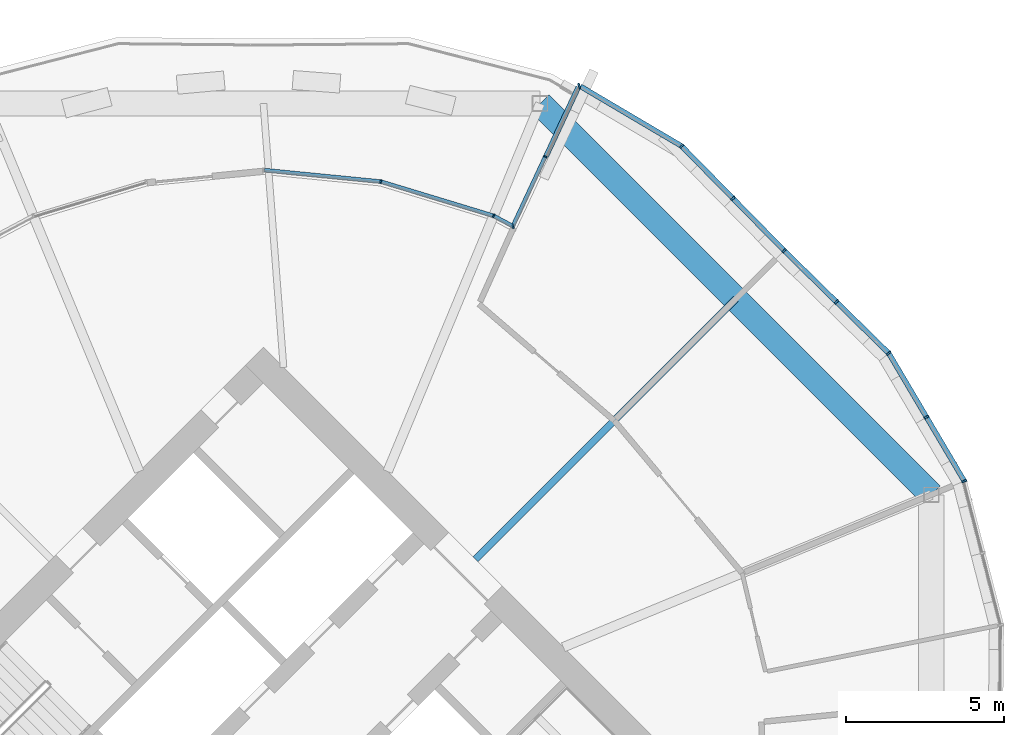
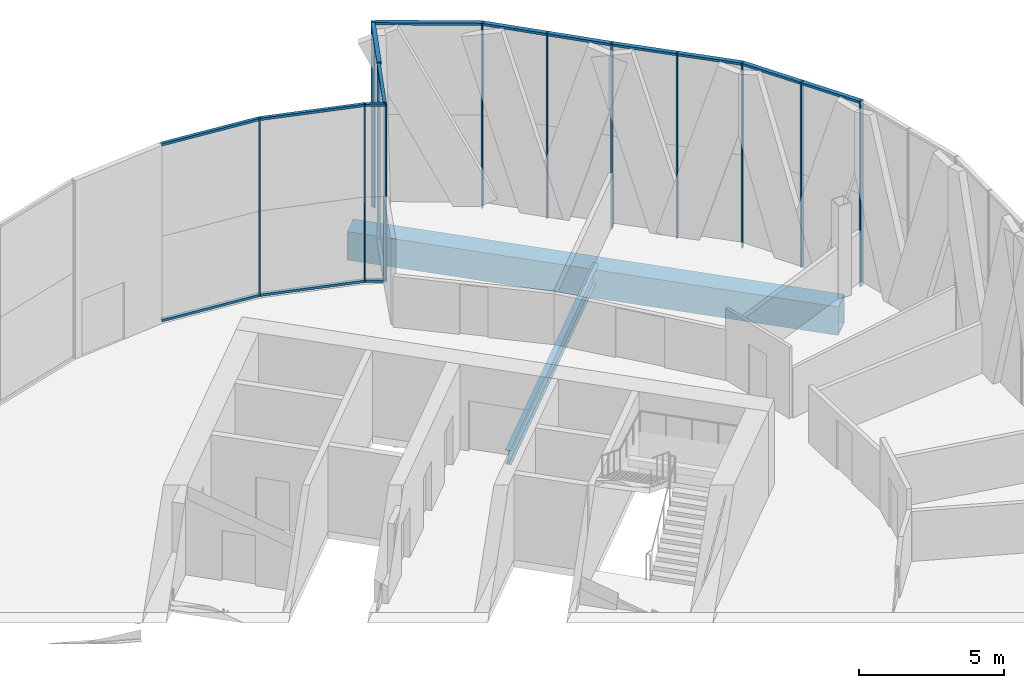
# One storey, part 17 of 31: 28 members, 2 beams, 4 elements without a shape of their own.
"""IFC4 building model written with IfcOpenShell, lengths in metres."""

from ifc_helpers import new_model, si_unit, direction, frame, origin, origin_2d, place, context, subcontext, project, spatial, rectangle, hollow_rectangle, i_section, extrude, material, material_profile, profile_set, type_object, element, aggregate, save


model = new_model("IFC4")

# Units and contexts
model_context = context("Model", 3, precision=1e-05, world=origin(), true_north=direction((0.0, 1.0)))
body_context = subcontext(model_context, "Body", "Model", "MODEL_VIEW")
ifc_project = project(units=[si_unit("LENGTHUNIT", "METRE"), si_unit("AREAUNIT", "SQUARE_METRE"), si_unit("VOLUMEUNIT", "CUBIC_METRE"), si_unit("PLANEANGLEUNIT", "RADIAN"), si_unit("MASSUNIT", "GRAM", prefix="KILO")], contexts=[model_context])

# Site, building, storey
site_placement = place(None, origin())
site = spatial("IfcSite", under=ifc_project, at=site_placement, CompositionType="ELEMENT")
building_placement = place(site_placement, origin())
building = spatial("IfcBuilding", under=site, at=building_placement, Name="Ogive Gate Towers", CompositionType="ELEMENT")
storey_placement = place(building_placement, frame((0.0, 0.0, 63.60009765625)))
storey = spatial("IfcBuildingStorey", under=building, at=storey_placement, Name="L14", CompositionType="ELEMENT", Elevation=63.60009765625)

# Beams
ifc_material_1 = material(Name="Steel SM460", Category="steel")
ifc_material_profile_1 = material_profile(ifc_material_1, hollow_rectangle(XDim=0.800048828125, YDim=1.199951171875, WallThickness=0.050048828125, at=origin_2d()), Name="BX 1200x800x50")
ifc_profile_set_1 = profile_set([ifc_material_profile_1], Name="Steel SM460")
beam_type_1 = type_object("IfcBeamType", Name="Edge girder BX 1200x800x50", PredefinedType="BEAM", material=ifc_profile_set_1)
beam_1_placement = place(storey_placement, frame((57.15673828125, 8.763427734375, -0.900146484375), z_axis=(-0.707106781187, 0.707106781187, 0.0), x_axis=(-0.707106781187, -0.707106781187, 0.0)))
element("IfcBeam", 1, at=beam_1_placement, inside=storey, type_object=beam_type_1, Name="T2/L14/SBM021", PredefinedType="BEAM", context=body_context, shape_type="SweptSolid", body=[
    extrude(hollow_rectangle(XDim=0.800048828125, YDim=1.199951171875, WallThickness=0.050048828125, at=origin_2d()), origin(), (0.0, 0.0, 1.0), 17.52685546875),
])
ifc_material_2 = material(Name="Steel SM355", Category="steel")
ifc_material_profile_2 = material_profile(ifc_material_2, i_section(OverallWidth=0.219970703125, OverallDepth=0.60009765625, WebThickness=0.011962890625, FlangeThickness=0.01904296875, FilletRadius=0.02392578125, at=origin_2d()), Name="IPE 600")
ifc_profile_set_2 = profile_set([ifc_material_profile_2], Name="Steel SM355")
beam_type_2 = type_object("IfcBeamType", Name="Radial floor beam IPE 600", PredefinedType="BEAM", material=ifc_profile_set_2)
beam_2_placement = place(storey_placement, frame((42.717529296875, 6.717529296875, -0.60009765625), z_axis=(0.707106781187, 0.707106781187, 0.0), x_axis=(-0.707106781187, 0.707106781187, 0.0)))
element("IfcBeam", 2, at=beam_2_placement, inside=storey, type_object=beam_type_2, Name="T2/L14/SBM010", PredefinedType="BEAM", context=body_context, shape_type="SweptSolid", body=[
    extrude(i_section(OverallWidth=0.219970703125, OverallDepth=0.60009765625, WebThickness=0.011962890625, FlangeThickness=0.01904296875, FilletRadius=0.02392578125, at=origin_2d()), origin(), (0.0, 0.0, 1.0), 11.656982421875),
])

# Curtain wall, members
ifc_material_3 = material(Name="Pale metal aluminium", Category="aluminium")
curtain_wall_type_1 = type_object("IfcCurtainWallType", Name="Sky garden glazing", PredefinedType="NOTDEFINED", material=ifc_material_3)
curtain_wall_1_placement = place(storey_placement, origin())
curtain_wall_1 = element("IfcCurtainWall", 3, at=curtain_wall_1_placement, inside=storey, type_object=curtain_wall_type_1, Name="CW4 T2 ECW01", PredefinedType="NOTDEFINED")
ifc_material_profile_3 = material_profile(ifc_material_3, rectangle(XDim=0.1201171875, YDim=0.050048828125, at=origin_2d()), Name="50 x 120 aluminium box")
ifc_profile_set_3 = profile_set([ifc_material_profile_3], Name="Pale metal aluminium")
member_type_1 = type_object("IfcMemberType", Name="Sky garden glazing mullion 50 x 120", PredefinedType="MULLION", material=ifc_profile_set_3)
member_1_placement = place(storey_placement, frame((39.716552734375, 18.684326171875, 0.0), z_axis=(0.0, 0.0, 1.0), x_axis=(-0.195090322016, -0.980785280403, 0.0)))
member_1 = element("IfcMember", 4, at=member_1_placement, type_object=member_type_1, Name="CW4 mullion", PredefinedType="MULLION", context=body_context, shape_type="SweptSolid", body=[
    extrude(rectangle(XDim=0.1201171875, YDim=0.050048828125, at=origin_2d()), origin(), (0.0, 0.0, 1.0), 7.5),
])
member_2_placement = place(storey_placement, frame((43.290283203125, 17.600341796875, 0.0), z_axis=(0.0, 0.0, 1.0), x_axis=(-0.382699557047, -0.923872853285, 0.0)))
member_2 = element("IfcMember", 5, at=member_2_placement, type_object=member_type_1, Name="CW4 mullion", PredefinedType="MULLION", context=body_context, shape_type="SweptSolid", body=[
    extrude(rectangle(XDim=0.1201171875, YDim=0.050048828125, at=origin_2d()), origin(), (0.0, 0.0, 1.0), 7.5),
])
member_3_placement = place(storey_placement, frame((43.906494140625, 17.257080078125, 0.0), z_axis=(0.0, 0.0, 1.0), x_axis=(0.316278285882, -0.948666456601, 0.0)))
member_3 = element("IfcMember", 6, at=member_3_placement, type_object=member_type_1, Name="CW4 mullion", PredefinedType="MULLION", context=body_context, shape_type="SweptSolid", body=[
    extrude(rectangle(XDim=0.1201171875, YDim=0.050048828125, at=origin_2d()), origin(), (0.0, 0.0, 1.0), 7.5),
])
member_4_placement = place(storey_placement, frame((44.92724609375, 19.47607421875, 0.0), z_axis=(0.0, 0.0, 1.0), x_axis=(0.906322538645, -0.422586625373, 0.0)))
member_4 = element("IfcMember", 7, at=member_4_placement, type_object=member_type_1, Name="CW4 mullion", PredefinedType="MULLION", context=body_context, shape_type="SweptSolid", body=[
    extrude(rectangle(XDim=0.1201171875, YDim=0.050048828125, at=origin_2d()), origin(), (0.0, 0.0, 1.0), 7.5),
])
ifc_material_profile_4 = material_profile(ifc_material_3, rectangle(XDim=0.1201171875, YDim=0.10009765625, at=origin_2d()), Name="100 x 120 aluminium box")
ifc_profile_set_4 = profile_set([ifc_material_profile_4], Name="Pale metal aluminium")
member_type_2 = type_object("IfcMemberType", Name="Sky garden glazing transom 100 x 120", PredefinedType="USERDEFINED", material=ifc_profile_set_4)
member_5_placement = place(storey_placement, frame((36.02880859375, 19.0478515625, 7.449951171875), z_axis=(0.995185313901, -0.098011177909, 0.0), x_axis=(0.098011177909, 0.995185313901, 0.0)))
member_5 = element("IfcMember", 8, at=member_5_placement, type_object=member_type_2, Name="CW4 transom", ObjectType="TRANSOM", PredefinedType="USERDEFINED", context=body_context, shape_type="SweptSolid", body=[
    extrude(rectangle(XDim=0.1201171875, YDim=0.10009765625, at=origin_2d()), origin(), (0.0, 0.0, 1.0), 3.6767578125),
])
member_6_placement = place(storey_placement, frame((36.02880859375, 19.0478515625, 0.0498046875), z_axis=(0.995185313901, -0.098011177909, 0.0), x_axis=(0.098011177909, 0.995185313901, 0.0)))
member_6 = element("IfcMember", 9, at=member_6_placement, type_object=member_type_2, Name="CW4 transom", ObjectType="TRANSOM", PredefinedType="USERDEFINED", context=body_context, shape_type="SweptSolid", body=[
    extrude(rectangle(XDim=0.1201171875, YDim=0.10009765625, at=origin_2d()), origin(), (0.0, 0.0, 1.0), 3.6767578125),
])
member_7_placement = place(storey_placement, frame((39.744384765625, 18.67626953125, 7.449951171875), z_axis=(0.956931648426, -0.290313313921, 0.0), x_axis=(0.290313313921, 0.956931648426, 0.0)))
member_7 = element("IfcMember", 10, at=member_7_placement, type_object=member_type_2, Name="CW4 transom", ObjectType="TRANSOM", PredefinedType="USERDEFINED", context=body_context, shape_type="SweptSolid", body=[
    extrude(rectangle(XDim=0.1201171875, YDim=0.10009765625, at=origin_2d()), origin(), (0.0, 0.0, 1.0), 3.6767578125),
])
member_8_placement = place(storey_placement, frame((39.744384765625, 18.67626953125, 0.0498046875), z_axis=(0.956931648426, -0.290313313921, 0.0), x_axis=(0.290313313921, 0.956931648426, 0.0)))
member_8 = element("IfcMember", 11, at=member_8_placement, type_object=member_type_2, Name="CW4 transom", ObjectType="TRANSOM", PredefinedType="USERDEFINED", context=body_context, shape_type="SweptSolid", body=[
    extrude(rectangle(XDim=0.1201171875, YDim=0.10009765625, at=origin_2d()), origin(), (0.0, 0.0, 1.0), 3.6767578125),
])
member_9_placement = place(storey_placement, frame((43.31591796875, 17.5869140625, 7.449951171875), z_axis=(0.881895663079, -0.471444630304, 0.0), x_axis=(0.471444630304, 0.881895663079, 0.0)))
member_9 = element("IfcMember", 12, at=member_9_placement, type_object=member_type_2, Name="CW4 transom", ObjectType="TRANSOM", PredefinedType="USERDEFINED", context=body_context, shape_type="SweptSolid", body=[
    extrude(rectangle(XDim=0.1201171875, YDim=0.10009765625, at=origin_2d()), origin(), (0.0, 0.0, 1.0), 0.680419921875),
])
member_10_placement = place(storey_placement, frame((43.31591796875, 17.5869140625, 0.0498046875), z_axis=(0.881895663079, -0.471444630304, 0.0), x_axis=(0.471444630304, 0.881895663079, 0.0)))
member_10 = element("IfcMember", 13, at=member_10_placement, type_object=member_type_2, Name="CW4 transom", ObjectType="TRANSOM", PredefinedType="USERDEFINED", context=body_context, shape_type="SweptSolid", body=[
    extrude(rectangle(XDim=0.1201171875, YDim=0.10009765625, at=origin_2d()), origin(), (0.0, 0.0, 1.0), 0.680419921875),
])
member_11_placement = place(storey_placement, frame((43.893310546875, 17.2587890625, 7.449951171875), z_axis=(0.422648113082, 0.906293866529, 0.0), x_axis=(-0.906293866529, 0.422648113082, 0.0)))
member_11 = element("IfcMember", 14, at=member_11_placement, type_object=member_type_2, Name="CW4 transom", ObjectType="TRANSOM", PredefinedType="USERDEFINED", context=body_context, shape_type="SweptSolid", body=[
    extrude(rectangle(XDim=0.1201171875, YDim=0.10009765625, at=origin_2d()), origin(), (0.0, 0.0, 1.0), 2.42138671875),
])
member_12_placement = place(storey_placement, frame((43.893310546875, 17.2587890625, 0.0498046875), z_axis=(0.422648113082, 0.906293866529, 0.0), x_axis=(-0.906293866529, 0.422648113082, 0.0)))
member_12 = element("IfcMember", 15, at=member_12_placement, type_object=member_type_2, Name="CW4 transom", ObjectType="TRANSOM", PredefinedType="USERDEFINED", context=body_context, shape_type="SweptSolid", body=[
    extrude(rectangle(XDim=0.1201171875, YDim=0.10009765625, at=origin_2d()), origin(), (0.0, 0.0, 1.0), 2.42138671875),
])
aggregate(curtain_wall_1, [member_1, member_5, member_6, member_2, member_7, member_8, member_3, member_9, member_10, member_4, member_11, member_12])

curtain_wall_type_2 = type_object("IfcCurtainWallType", Name="Tower unitised wall, low zone", PredefinedType="NOTDEFINED", material=ifc_material_3)
curtain_wall_2_placement = place(storey_placement, origin())
curtain_wall_2 = element("IfcCurtainWall", 16, at=curtain_wall_2_placement, inside=storey, type_object=curtain_wall_type_2, Name="CW1 T2 ECW03", PredefinedType="NOTDEFINED")
ifc_material_profile_5 = material_profile(ifc_material_3, rectangle(XDim=0.159912109375, YDim=0.06005859375, at=origin_2d()), Name="60 x 160 aluminium box")
ifc_profile_set_5 = profile_set([ifc_material_profile_5], Name="Pale metal aluminium")
member_type_3 = type_object("IfcMemberType", Name="Tower unitised wall, low zone mullion 60 x 160", PredefinedType="MULLION", material=ifc_profile_set_5)
member_13_placement = place(storey_placement, frame((52.49658203125, 16.4970703125, -0.300048828125), z_axis=(0.0, 0.0, 1.0), x_axis=(-0.700299028189, -0.713849613797, 0.0)))
member_13 = element("IfcMember", 17, at=member_13_placement, type_object=member_type_3, Name="CW1 mullion", PredefinedType="MULLION", context=body_context, shape_type="SweptSolid", body=[
    extrude(rectangle(XDim=0.159912109375, YDim=0.06005859375, at=origin_2d()), origin(), (0.0, 0.0, 1.0), 7.800048828125),
])
member_14_placement = place(storey_placement, frame((54.152099609375, 14.873046875, -0.300048828125), z_axis=(0.0, 0.0, 1.0), x_axis=(-0.700299028189, -0.713849613797, 0.0)))
member_14 = element("IfcMember", 18, at=member_14_placement, type_object=member_type_3, Name="CW1 mullion", PredefinedType="MULLION", context=body_context, shape_type="SweptSolid", body=[
    extrude(rectangle(XDim=0.159912109375, YDim=0.06005859375, at=origin_2d()), origin(), (0.0, 0.0, 1.0), 7.800048828125),
])
member_15_placement = place(storey_placement, frame((55.809326171875, 13.2470703125, -0.300048828125), z_axis=(0.0, 0.0, 1.0), x_axis=(-0.787387121413, -0.616458855912, 0.0)))
member_15 = element("IfcMember", 19, at=member_15_placement, type_object=member_type_3, Name="CW1 mullion", PredefinedType="MULLION", context=body_context, shape_type="SweptSolid", body=[
    extrude(rectangle(XDim=0.159912109375, YDim=0.06005859375, at=origin_2d()), origin(), (0.0, 0.0, 1.0), 7.800048828125),
])
member_16_placement = place(storey_placement, frame((57.005615234375, 11.221923828125, -0.300048828125), z_axis=(0.0, 0.0, 1.0), x_axis=(-0.86103507103, -0.508545579527, 0.0)))
member_16 = element("IfcMember", 20, at=member_16_placement, type_object=member_type_3, Name="CW1 mullion", PredefinedType="MULLION", context=body_context, shape_type="SweptSolid", body=[
    extrude(rectangle(XDim=0.159912109375, YDim=0.06005859375, at=origin_2d()), origin(), (0.0, 0.0, 1.0), 7.800048828125),
])
member_17_placement = place(storey_placement, frame((58.201904296875, 9.1962890625, -0.300048828125), z_axis=(0.0, 0.0, 1.0), x_axis=(-0.923879532511, -0.382683432365, 0.0)))
member_17 = element("IfcMember", 21, at=member_17_placement, type_object=member_type_3, Name="CW1 mullion", PredefinedType="MULLION", context=body_context, shape_type="SweptSolid", body=[
    extrude(rectangle(XDim=0.159912109375, YDim=0.06005859375, at=origin_2d()), origin(), (0.0, 0.0, 1.0), 7.800048828125),
])

curtain_wall_3_placement = place(storey_placement, origin())
curtain_wall_3 = element("IfcCurtainWall", 22, at=curtain_wall_3_placement, inside=storey, type_object=curtain_wall_type_2, Name="CW1 T2 ECW04", PredefinedType="NOTDEFINED")
member_18_placement = place(storey_placement, frame((49.2490234375, 19.8076171875, -0.300048828125), z_axis=(0.0, 0.0, 1.0), x_axis=(-0.713861836212, -0.700286569056, 0.0)))
member_18 = element("IfcMember", 23, at=member_18_placement, type_object=member_type_3, Name="CW1 mullion", PredefinedType="MULLION", context=body_context, shape_type="SweptSolid", body=[
    extrude(rectangle(XDim=0.159912109375, YDim=0.06005859375, at=origin_2d()), origin(), (0.0, 0.0, 1.0), 7.800048828125),
])
member_19_placement = place(storey_placement, frame((50.873046875, 18.152099609375, -0.300048828125), z_axis=(0.0, 0.0, 1.0), x_axis=(-0.713849613797, -0.700299028189, 0.0)))
member_19 = element("IfcMember", 24, at=member_19_placement, type_object=member_type_3, Name="CW1 mullion", PredefinedType="MULLION", context=body_context, shape_type="SweptSolid", body=[
    extrude(rectangle(XDim=0.159912109375, YDim=0.06005859375, at=origin_2d()), origin(), (0.0, 0.0, 1.0), 7.800048828125),
])

# Curtain wall, member
curtain_wall_4_placement = place(storey_placement, origin())
curtain_wall_4 = element("IfcCurtainWall", 25, at=curtain_wall_4_placement, inside=storey, type_object=curtain_wall_type_2, Name="CW1 T2 ECW04b", PredefinedType="NOTDEFINED")
member_20_placement = place(storey_placement, frame((46.002197265625, 21.71826171875, -0.300048828125), z_axis=(0.0, 0.0, 1.0), x_axis=(0.295974802554, -0.955195747611, 0.0)))
member_20 = element("IfcMember", 26, at=member_20_placement, type_object=member_type_3, Name="CW1 mullion", PredefinedType="MULLION", context=body_context, shape_type="SweptSolid", body=[
    extrude(rectangle(XDim=0.159912109375, YDim=0.06005859375, at=origin_2d()), origin(), (0.0, 0.0, 1.0), 7.800048828125),
])

# Member
ifc_material_profile_6 = material_profile(ifc_material_3, rectangle(XDim=0.159912109375, YDim=0.10009765625, at=origin_2d()), Name="100 x 160 aluminium box")
ifc_profile_set_6 = profile_set([ifc_material_profile_6], Name="Pale metal aluminium")
member_type_4 = type_object("IfcMemberType", Name="Tower unitised wall, low zone transom 100 x 160", PredefinedType="USERDEFINED", material=ifc_profile_set_6)
member_21_placement = place(storey_placement, frame((52.51806640625, 16.47607421875, 7.449951171875), z_axis=(0.713829147269, -0.700319890129, 0.0), x_axis=(0.700319890129, 0.713829147269, 0.0)))
member_21 = element("IfcMember", 27, at=member_21_placement, type_object=member_type_4, Name="CW1 transom", ObjectType="TRANSOM", PredefinedType="USERDEFINED", context=body_context, shape_type="SweptSolid", body=[
    extrude(rectangle(XDim=0.159912109375, YDim=0.10009765625, at=origin_2d()), origin(), (0.0, 0.0, 1.0), 2.259033203125),
])

member_22_placement = place(storey_placement, frame((54.173583984375, 14.85205078125, 7.449951171875), z_axis=(0.713829147269, -0.700319890129, 0.0), x_axis=(0.700319890129, 0.713829147269, 0.0)))
member_22 = element("IfcMember", 28, at=member_22_placement, type_object=member_type_4, Name="CW1 transom", ObjectType="TRANSOM", PredefinedType="USERDEFINED", context=body_context, shape_type="SweptSolid", body=[
    extrude(rectangle(XDim=0.159912109375, YDim=0.10009765625, at=origin_2d()), origin(), (0.0, 0.0, 1.0), 2.259033203125),
])

member_23_placement = place(storey_placement, frame((55.826171875, 13.218994140625, 7.449951171875), z_axis=(0.508571220017, -0.861019926697, 0.0), x_axis=(0.861019926697, 0.508571220017, 0.0)))
member_23 = element("IfcMember", 29, at=member_23_placement, type_object=member_type_4, Name="CW1 transom", ObjectType="TRANSOM", PredefinedType="USERDEFINED", context=body_context, shape_type="SweptSolid", body=[
    extrude(rectangle(XDim=0.159912109375, YDim=0.10009765625, at=origin_2d()), origin(), (0.0, 0.0, 1.0), 2.289306640625),
])

member_24_placement = place(storey_placement, frame((57.02099609375, 11.196044921875, 7.449951171875), z_axis=(0.508524526508, -0.861047505043, 0.0), x_axis=(0.861047505043, 0.508524526508, 0.0)))
member_24 = element("IfcMember", 30, at=member_24_placement, type_object=member_type_4, Name="CW1 transom", ObjectType="TRANSOM", PredefinedType="USERDEFINED", context=body_context, shape_type="SweptSolid", body=[
    extrude(rectangle(XDim=0.159912109375, YDim=0.10009765625, at=origin_2d()), origin(), (0.0, 0.0, 1.0), 2.28955078125),
])

aggregate(curtain_wall_2, [member_13, member_14, member_21, member_15, member_22, member_16, member_23, member_17, member_24])

member_25_placement = place(storey_placement, frame((49.27001953125, 19.7861328125, 7.449951171875), z_axis=(0.700319890129, -0.713829147269, 0.0), x_axis=(0.713829147269, 0.700319890129, 0.0)))
member_25 = element("IfcMember", 31, at=member_25_placement, type_object=member_type_4, Name="CW1 transom", ObjectType="TRANSOM", PredefinedType="USERDEFINED", context=body_context, shape_type="SweptSolid", body=[
    extrude(rectangle(XDim=0.159912109375, YDim=0.10009765625, at=origin_2d()), origin(), (0.0, 0.0, 1.0), 2.259033203125),
])

member_26_placement = place(storey_placement, frame((50.89404296875, 18.130615234375, 7.449951171875), z_axis=(0.700319890129, -0.713829147269, 0.0), x_axis=(0.713829147269, 0.700319890129, 0.0)))
member_26 = element("IfcMember", 32, at=member_26_placement, type_object=member_type_4, Name="CW1 transom", ObjectType="TRANSOM", PredefinedType="USERDEFINED", context=body_context, shape_type="SweptSolid", body=[
    extrude(rectangle(XDim=0.159912109375, YDim=0.10009765625, at=origin_2d()), origin(), (0.0, 0.0, 1.0), 2.259033203125),
])

aggregate(curtain_wall_3, [member_18, member_19, member_25, member_26])

member_27_placement = place(storey_placement, frame((44.958251953125, 19.494873046875, 7.449951171875), z_axis=(0.422586148777, 0.906322760865, 0.0), x_axis=(-0.906322760865, 0.422586148777, 0.0)))
member_27 = element("IfcMember", 33, at=member_27_placement, type_object=member_type_4, Name="CW1 transom", ObjectType="TRANSOM", PredefinedType="USERDEFINED", context=body_context, shape_type="SweptSolid", body=[
    extrude(rectangle(XDim=0.159912109375, YDim=0.10009765625, at=origin_2d()), origin(), (0.0, 0.0, 1.0), 2.411376953125),
])

member_28_placement = place(storey_placement, frame((46.044189453125, 21.701171875, 7.449951171875), z_axis=(0.861047777915, -0.508524064472, 0.0), x_axis=(0.508524064472, 0.861047777915, 0.0)))
member_28 = element("IfcMember", 34, at=member_28_placement, type_object=member_type_4, Name="CW1 transom", ObjectType="TRANSOM", PredefinedType="USERDEFINED", context=body_context, shape_type="SweptSolid", body=[
    extrude(rectangle(XDim=0.159912109375, YDim=0.10009765625, at=origin_2d()), origin(), (0.0, 0.0, 1.0), 3.687255859375),
])

aggregate(curtain_wall_4, [member_20, member_27, member_28])

save(model, "model.ifc")
